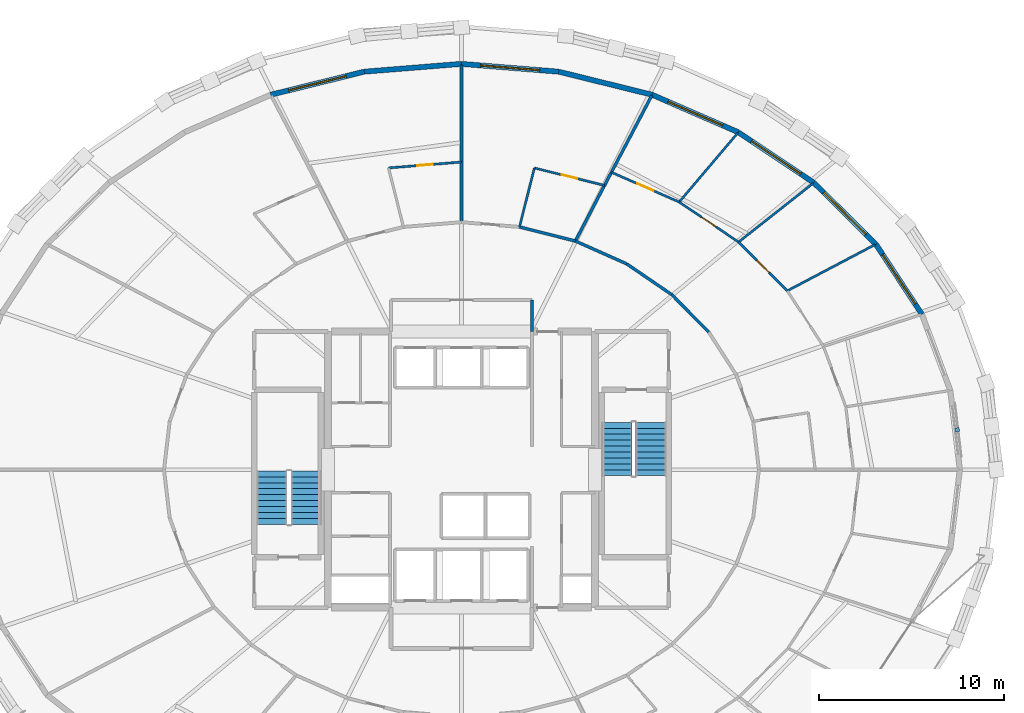
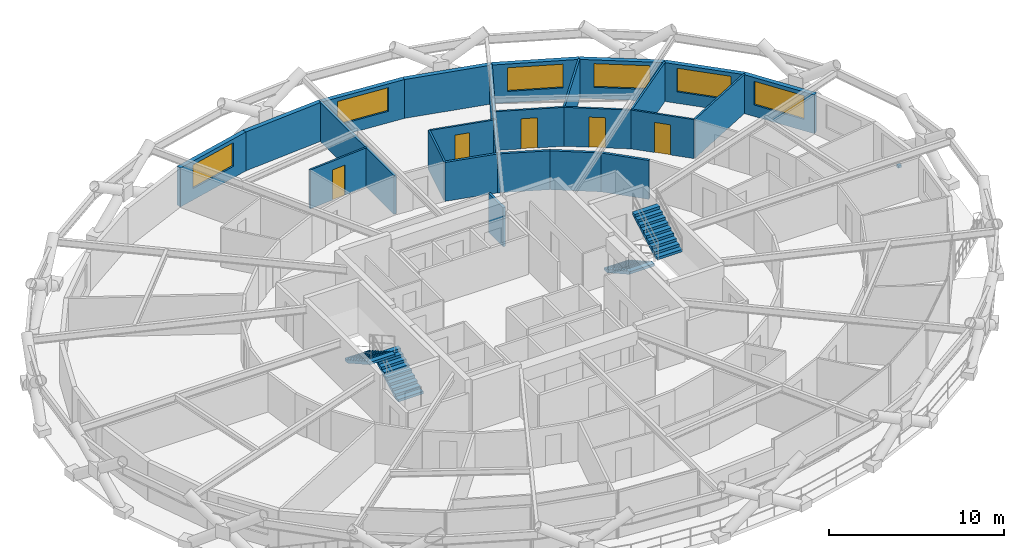
# One storey, part 19 of 21: 24 walls, 6 windows, 5 doors, 4 stair flights, 1 discrete accessory, 11 openings, 2 elements without a shape of their own.
"""IFC4 building model written with IfcOpenShell, lengths in metres."""

from ifc_helpers import new_model, si_unit, direction, frame, frame_2d, origin, origin_2d, place, context, subcontext, project, spatial, polyline, rectangle, outline, extrude, material, layer, layer_set, type_object, element, fill, aggregate, save


model = new_model("IFC4")

# Units and contexts
model_context = context("Model", 3, precision=1e-05, world=origin(), true_north=direction((0.0, 1.0)))
body_context = subcontext(model_context, "Body", "Model", "MODEL_VIEW")
ifc_project = project(units=[si_unit("LENGTHUNIT", "METRE"), si_unit("AREAUNIT", "SQUARE_METRE"), si_unit("VOLUMEUNIT", "CUBIC_METRE"), si_unit("PLANEANGLEUNIT", "RADIAN"), si_unit("MASSUNIT", "GRAM", prefix="KILO")], contexts=[model_context])

# Site, building, storey
site_placement = place(None, origin())
site = spatial("IfcSite", under=ifc_project, at=site_placement, CompositionType="ELEMENT")
building_placement = place(site_placement, origin())
building = spatial("IfcBuilding", under=site, at=building_placement, Name="Veldorina Hangang Commons", CompositionType="ELEMENT")
storey_placement = place(building_placement, frame((0.0, 0.0, 66.39990234375)))
storey = spatial("IfcBuildingStorey", under=building, at=storey_placement, Name="L16", CompositionType="ELEMENT", Elevation=66.39990234375)

# Wall, opening, window
ifc_material_1 = material(Name="Stone Roman Travertine", Category="masonry")
ifc_layer_1 = layer(ifc_material_1, 0.280029296875)
ifc_layer_set_1 = layer_set([ifc_layer_1], Name="Stone Roman Travertine")
wall_type_1 = type_object("IfcWallType", Name="EW-TRAV-280", PredefinedType="STANDARD", material=ifc_layer_set_1)
wall_1_placement = place(storey_placement, frame((56.844482421875, 32.37744140625, 0.0), z_axis=(0.0, 0.0, 1.0), x_axis=(-0.54881308027, 0.83594509564, 0.0)))
wall_1 = element("IfcWall", 1, at=wall_1_placement, inside=storey, type_object=wall_type_1, Name="L16 travertine facade wall 02", PredefinedType="STANDARD", context=body_context, shape_type="SweptSolid", body=[
    extrude(rectangle(XDim=4.527587890625, YDim=0.280029296875, at=frame_2d((2.263671875, 0.0))), origin(), (0.0, 0.0, 1.0), 2.710205078125),
])
opening_1_placement = place(wall_1_placement, frame((0.663818359375, 0.0, 0.800048828125)))
opening_1 = element("IfcOpeningElement", 2, at=opening_1_placement, cuts=wall_1, Name="Opening W-01", PredefinedType="OPENING", context=body_context, shape_type="SweptSolid", body=[
    extrude(rectangle(XDim=3.199951171875, YDim=1.64990234375, at=frame_2d((1.60009765625, 0.824951171875))), frame((0.0, 0.14990234375, 0.0), z_axis=(0.0, -1.0, 0.0), x_axis=(1.0, 0.0, 0.0)), (0.0, 0.0, 1.0), 0.300048828125),
])
ifc_material_2 = material(Name="Glass Low-E Triple IGU", Category="glass")
window_type = type_object("IfcWindowType", Name="WIN-TWR-3200", PartitioningType="SINGLE_PANEL", PredefinedType="WINDOW", material=ifc_material_2)
window_1_placement = place(opening_1_placement, origin())
window_1 = element("IfcWindow", 3, at=window_1_placement, inside=storey, type_object=window_type, Name="L16 facade window 02", OverallHeight=1.64990234375, OverallWidth=3.199951171875, PartitioningType="SINGLE_PANEL", PredefinedType="WINDOW", context=body_context, shape_type="SweptSolid", body=[
    extrude(rectangle(XDim=3.199951171875, YDim=1.64990234375, at=frame_2d((1.60009765625, 0.824951171875))), frame((0.0, 0.030029296875, 0.0), z_axis=(0.0, -1.0, 0.0), x_axis=(1.0, 0.0, 0.0)), (0.0, 0.0, 1.0), 0.06005859375),
])
fill(opening_1, window_1)

wall_2_placement = place(storey_placement, frame((54.359619140625, 36.162353515625, 0.0), z_axis=(0.0, 0.0, 1.0), x_axis=(-0.710003239363, 0.704198409608, 0.0)))
wall_2 = element("IfcWall", 4, at=wall_2_placement, inside=storey, type_object=wall_type_1, Name="L16 travertine facade wall 03", PredefinedType="STANDARD", context=body_context, shape_type="SweptSolid", body=[
    extrude(rectangle(XDim=4.71044921875, YDim=0.280029296875, at=frame_2d((2.355224609375, 0.0))), origin(), (0.0, 0.0, 1.0), 2.710205078125),
])
opening_2_placement = place(wall_2_placement, frame((0.75537109375, 0.0, 0.800048828125)))
opening_2 = element("IfcOpeningElement", 5, at=opening_2_placement, cuts=wall_2, Name="Opening W-01", PredefinedType="OPENING", context=body_context, shape_type="SweptSolid", body=[
    extrude(rectangle(XDim=3.199951171875, YDim=1.64990234375, at=frame_2d((1.60009765625, 0.824951171875))), frame((0.0, 0.14990234375, 0.0), z_axis=(0.0, -1.0, 0.0), x_axis=(1.0, 0.0, 0.0)), (0.0, 0.0, 1.0), 0.300048828125),
])
window_2_placement = place(opening_2_placement, origin())
window_2 = element("IfcWindow", 6, at=window_2_placement, inside=storey, type_object=window_type, Name="L16 facade window 03", OverallHeight=1.64990234375, OverallWidth=3.199951171875, PartitioningType="SINGLE_PANEL", PredefinedType="WINDOW", context=body_context, shape_type="SweptSolid", body=[
    extrude(rectangle(XDim=3.199951171875, YDim=1.64990234375, at=frame_2d((1.60009765625, 0.824951171875))), frame((0.0, 0.030029296875, 0.0), z_axis=(0.0, -1.0, 0.0), x_axis=(1.0, 0.0, 0.0)), (0.0, 0.0, 1.0), 0.06005859375),
])
fill(opening_2, window_2)

wall_3_placement = place(storey_placement, frame((51.01513671875, 39.4794921875, 0.0), z_axis=(0.0, 0.0, 1.0), x_axis=(-0.83148272081, 0.555550614251, 0.0)))
wall_3 = element("IfcWall", 7, at=wall_3_placement, inside=storey, type_object=wall_type_1, Name="L16 travertine facade wall 04", PredefinedType="STANDARD", context=body_context, shape_type="SweptSolid", body=[
    extrude(rectangle(XDim=4.90087890625, YDim=0.280029296875, at=frame_2d((2.450439453125, 0.0))), origin(), (0.0, 0.0, 1.0), 2.710205078125),
])
opening_3_placement = place(wall_3_placement, frame((0.850341796875, 0.0, 0.800048828125)))
opening_3 = element("IfcOpeningElement", 8, at=opening_3_placement, cuts=wall_3, Name="Opening W-01", PredefinedType="OPENING", context=body_context, shape_type="SweptSolid", body=[
    extrude(rectangle(XDim=3.199951171875, YDim=1.64990234375, at=frame_2d((1.60009765625, 0.824951171875))), frame((0.0, 0.14990234375, 0.0), z_axis=(0.0, -1.0, 0.0), x_axis=(1.0, 0.0, 0.0)), (0.0, 0.0, 1.0), 0.300048828125),
])
window_3_placement = place(opening_3_placement, origin())
window_3 = element("IfcWindow", 9, at=window_3_placement, inside=storey, type_object=window_type, Name="L16 facade window 04", OverallHeight=1.64990234375, OverallWidth=3.199951171875, PartitioningType="SINGLE_PANEL", PredefinedType="WINDOW", context=body_context, shape_type="SweptSolid", body=[
    extrude(rectangle(XDim=3.199951171875, YDim=1.64990234375, at=frame_2d((1.60009765625, 0.824951171875))), frame((0.0, 0.030029296875, 0.0), z_axis=(0.0, -1.0, 0.0), x_axis=(1.0, 0.0, 0.0)), (0.0, 0.0, 1.0), 0.06005859375),
])
fill(opening_3, window_3)

wall_4_placement = place(storey_placement, frame((46.940185546875, 42.2021484375, 0.0), z_axis=(0.0, 0.0, 1.0), x_axis=(-0.916956720631, 0.398986682096, 0.0)))
wall_4 = element("IfcWall", 10, at=wall_4_placement, inside=storey, type_object=wall_type_1, Name="L16 travertine facade wall 05", PredefinedType="STANDARD", context=body_context, shape_type="SweptSolid", body=[
    extrude(rectangle(XDim=5.0703125, YDim=0.280029296875, at=frame_2d((2.53515625, 0.0))), origin(), (0.0, 0.0, 1.0), 2.710205078125),
])
opening_4_placement = place(wall_4_placement, frame((0.93505859375, 0.0, 0.800048828125)))
opening_4 = element("IfcOpeningElement", 11, at=opening_4_placement, cuts=wall_4, Name="Opening W-01", PredefinedType="OPENING", context=body_context, shape_type="SweptSolid", body=[
    extrude(rectangle(XDim=3.199951171875, YDim=1.64990234375, at=frame_2d((1.60009765625, 0.824951171875))), frame((0.0, 0.14990234375, 0.0), z_axis=(0.0, -1.0, 0.0), x_axis=(1.0, 0.0, 0.0)), (0.0, 0.0, 1.0), 0.300048828125),
])
window_4_placement = place(opening_4_placement, origin())
window_4 = element("IfcWindow", 12, at=window_4_placement, inside=storey, type_object=window_type, Name="L16 facade window 05", OverallHeight=1.64990234375, OverallWidth=3.199951171875, PartitioningType="SINGLE_PANEL", PredefinedType="WINDOW", context=body_context, shape_type="SweptSolid", body=[
    extrude(rectangle(XDim=3.199951171875, YDim=1.64990234375, at=frame_2d((1.60009765625, 0.824951171875))), frame((0.0, 0.030029296875, 0.0), z_axis=(0.0, -1.0, 0.0), x_axis=(1.0, 0.0, 0.0)), (0.0, 0.0, 1.0), 0.06005859375),
])
fill(opening_4, window_4)

# Wall
wall_5_placement = place(storey_placement, frame((42.291015625, 44.22509765625, 0.0), z_axis=(0.0, 0.0, 1.0), x_axis=(-0.970832238087, 0.239759807915, 0.0)))
element("IfcWall", 13, at=wall_5_placement, inside=storey, type_object=wall_type_1, Name="L16 travertine facade wall 06", PredefinedType="STANDARD", context=body_context, shape_type="SweptSolid", body=[
    extrude(rectangle(XDim=5.1962890625, YDim=0.280029296875, at=frame_2d((2.59814453125, 0.0))), origin(), (0.0, 0.0, 1.0), 2.710205078125),
])

# Wall, opening, window
wall_6_placement = place(storey_placement, frame((37.246337890625, 45.470947265625, 0.0), z_axis=(0.0, 0.0, 1.0), x_axis=(-0.996800955667, 0.079924056336, 0.0)))
wall_6 = element("IfcWall", 14, at=wall_6_placement, inside=storey, type_object=wall_type_1, Name="L16 travertine facade wall 07", PredefinedType="STANDARD", context=body_context, shape_type="SweptSolid", body=[
    extrude(rectangle(XDim=5.26318359375, YDim=0.280029296875, at=frame_2d((2.631591796875, 0.0))), origin(), (0.0, 0.0, 1.0), 2.710205078125),
])
opening_5_placement = place(wall_6_placement, frame((1.031494140625, 0.0, 0.800048828125)))
opening_5 = element("IfcOpeningElement", 15, at=opening_5_placement, cuts=wall_6, Name="Opening W-01", PredefinedType="OPENING", context=body_context, shape_type="SweptSolid", body=[
    extrude(rectangle(XDim=3.199951171875, YDim=1.64990234375, at=frame_2d((1.60009765625, 0.824951171875))), frame((0.0, 0.14990234375, 0.0), z_axis=(0.0, -1.0, 0.0), x_axis=(1.0, 0.0, 0.0)), (0.0, 0.0, 1.0), 0.300048828125),
])
window_5_placement = place(opening_5_placement, origin())
window_5 = element("IfcWindow", 16, at=window_5_placement, inside=storey, type_object=window_type, Name="L16 facade window 07", OverallHeight=1.64990234375, OverallWidth=3.199951171875, PartitioningType="SINGLE_PANEL", PredefinedType="WINDOW", context=body_context, shape_type="SweptSolid", body=[
    extrude(rectangle(XDim=3.199951171875, YDim=1.64990234375, at=frame_2d((1.60009765625, 0.824951171875))), frame((0.0, 0.030029296875, 0.0), z_axis=(0.0, -1.0, 0.0), x_axis=(1.0, 0.0, 0.0)), (0.0, 0.0, 1.0), 0.06005859375),
])
fill(opening_5, window_5)

# Wall
wall_7_placement = place(storey_placement, frame((32.0, 45.8916015625, 0.0), z_axis=(0.0, 0.0, 1.0), x_axis=(-0.996800955667, -0.079924056336, 0.0)))
element("IfcWall", 17, at=wall_7_placement, inside=storey, type_object=wall_type_1, Name="L16 travertine facade wall 08", PredefinedType="STANDARD", context=body_context, shape_type="SweptSolid", body=[
    extrude(rectangle(XDim=5.26318359375, YDim=0.280029296875, at=frame_2d((2.631591796875, 0.0))), origin(), (0.0, 0.0, 1.0), 2.710205078125),
])

# Wall, opening, window
wall_8_placement = place(storey_placement, frame((26.753662109375, 45.470947265625, 0.0), z_axis=(0.0, 0.0, 1.0), x_axis=(-0.970832238087, -0.239759807915, 0.0)))
wall_8 = element("IfcWall", 18, at=wall_8_placement, inside=storey, type_object=wall_type_1, Name="L16 travertine facade wall 09", PredefinedType="STANDARD", context=body_context, shape_type="SweptSolid", body=[
    extrude(rectangle(XDim=5.1962890625, YDim=0.280029296875, at=frame_2d((2.59814453125, 0.0))), origin(), (0.0, 0.0, 1.0), 2.710205078125),
])
opening_6_placement = place(wall_8_placement, frame((0.998046875, 0.0, 0.800048828125)))
opening_6 = element("IfcOpeningElement", 19, at=opening_6_placement, cuts=wall_8, Name="Opening W-01", PredefinedType="OPENING", context=body_context, shape_type="SweptSolid", body=[
    extrude(rectangle(XDim=3.199951171875, YDim=1.64990234375, at=frame_2d((1.60009765625, 0.824951171875))), frame((0.0, 0.14990234375, 0.0), z_axis=(0.0, -1.0, 0.0), x_axis=(1.0, 0.0, 0.0)), (0.0, 0.0, 1.0), 0.300048828125),
])
window_6_placement = place(opening_6_placement, origin())
window_6 = element("IfcWindow", 20, at=window_6_placement, inside=storey, type_object=window_type, Name="L16 facade window 09", OverallHeight=1.64990234375, OverallWidth=3.199951171875, PartitioningType="SINGLE_PANEL", PredefinedType="WINDOW", context=body_context, shape_type="SweptSolid", body=[
    extrude(rectangle(XDim=3.199951171875, YDim=1.64990234375, at=frame_2d((1.60009765625, 0.824951171875))), frame((0.0, 0.030029296875, 0.0), z_axis=(0.0, -1.0, 0.0), x_axis=(1.0, 0.0, 0.0)), (0.0, 0.0, 1.0), 0.06005859375),
])
fill(opening_6, window_6)

# Walls
ifc_material_3 = material(Name="Gypsum Fire-Rated Twin Stud Wall", Category="gypsum")
ifc_layer_2 = layer(ifc_material_3, 0.159912109375)
ifc_layer_set_2 = layer_set([ifc_layer_2], Name="Gypsum Fire-Rated Twin Stud Wall")
wall_type_2 = type_object("IfcWallType", Name="WL-FIRE-160", PredefinedType="SOLIDWALL", material=ifc_layer_set_2)
wall_9_placement = place(storey_placement, frame((35.800048828125, 31.449951171875, 0.0), z_axis=(0.0, 0.0, 1.0), x_axis=(0.0, 1.0, 0.0)))
element("IfcWall", 21, at=wall_9_placement, inside=storey, type_object=wall_type_2, Name="L16 North lobby east wall 033", PredefinedType="SOLIDWALL", context=body_context, shape_type="SweptSolid", body=[
    extrude(rectangle(XDim=1.699951171875, YDim=0.159912109375, at=frame_2d((0.85009765625, 0.0))), origin(), (0.0, 0.0, 1.0), 2.710205078125),
])
wall_10_placement = place(storey_placement, frame((45.34521484375, 31.4169921875, 0.0), z_axis=(0.0, 0.0, 1.0), x_axis=(-0.702366174226, 0.711815816981, 0.0)))
element("IfcWall", 22, at=wall_10_placement, inside=storey, type_object=wall_type_2, Name="L16 Corridor outer wall 03 051", PredefinedType="SOLIDWALL", context=body_context, shape_type="SweptSolid", body=[
    extrude(rectangle(XDim=2.842041015625, YDim=0.159912109375, at=frame_2d((1.4208984375, 0.0))), origin(), (0.0, 0.0, 1.0), 2.710205078125),
])
wall_11_placement = place(storey_placement, frame((43.34912109375, 33.43994140625, 0.0), z_axis=(0.0, 0.0, 1.0), x_axis=(-0.825929039072, 0.563774088104, 0.0)))
element("IfcWall", 23, at=wall_11_placement, inside=storey, type_object=wall_type_2, Name="L16 Corridor outer wall 04 052", PredefinedType="SOLIDWALL", context=body_context, shape_type="SweptSolid", body=[
    extrude(rectangle(XDim=2.94482421875, YDim=0.159912109375, at=frame_2d((1.472412109375, 0.0))), origin(), (0.0, 0.0, 1.0), 2.710205078125),
])
wall_12_placement = place(storey_placement, frame((40.9169921875, 35.10009765625, 0.0), z_axis=(0.0, 0.0, 1.0), x_axis=(-0.913768445178, 0.406235434936, 0.0)))
element("IfcWall", 24, at=wall_12_placement, inside=storey, type_object=wall_type_2, Name="L16 Corridor outer wall 05 053", PredefinedType="SOLIDWALL", context=body_context, shape_type="SweptSolid", body=[
    extrude(rectangle(XDim=3.036865234375, YDim=0.159912109375, at=frame_2d((1.5185546875, 0.0))), origin(), (0.0, 0.0, 1.0), 2.710205078125),
])
wall_13_placement = place(storey_placement, frame((38.14208984375, 36.333740234375, 0.0), z_axis=(0.0, 0.0, 1.0), x_axis=(-0.969608333194, 0.244662380029, 0.0)))
element("IfcWall", 25, at=wall_13_placement, inside=storey, type_object=wall_type_2, Name="L16 Corridor outer wall 06 054", PredefinedType="SOLIDWALL", context=body_context, shape_type="SweptSolid", body=[
    extrude(rectangle(XDim=3.10546875, YDim=0.159912109375, at=frame_2d((1.552734375, 0.0))), origin(), (0.0, 0.0, 1.0), 2.710205078125),
])
wall_14_placement = place(storey_placement, frame((38.14208984375, 36.333740234375, 0.0), z_axis=(0.0, 0.0, 1.0), x_axis=(0.465340061266, 0.885131983029, 0.0)))
element("IfcWall", 26, at=wall_14_placement, inside=storey, type_object=wall_type_2, Name="L16 Unit party wall 06 112", PredefinedType="SOLIDWALL", context=body_context, shape_type="SweptSolid", body=[
    extrude(rectangle(XDim=8.865478515625, YDim=0.159912109375, at=frame_2d((4.4326171875, 0.0))), origin(), (0.0, 0.0, 1.0), 2.710205078125),
])
wall_15_placement = place(storey_placement, frame((32.0, 37.35009765625, 0.0), z_axis=(0.0, 0.0, 1.0), x_axis=(0.0, 1.0, 0.0)))
element("IfcWall", 27, at=wall_15_placement, inside=storey, type_object=wall_type_2, Name="L16 Unit party wall 08 115", PredefinedType="SOLIDWALL", context=body_context, shape_type="SweptSolid", body=[
    extrude(rectangle(XDim=8.491455078125, YDim=0.159912109375, at=frame_2d((4.24560546875, 0.0))), origin(), (0.0, 0.0, 1.0), 2.710205078125),
])

# Wall, opening, door
ifc_material_4 = material(Name="Gypsum Acoustic Stud Partition", Category="gypsum")
ifc_layer_3 = layer(ifc_material_4, 0.1201171875)
ifc_layer_set_3 = layer_set([ifc_layer_3], Name="Gypsum Acoustic Stud Partition")
wall_type_3 = type_object("IfcWallType", Name="WL-PART-120", PredefinedType="PARTITIONING", material=ifc_layer_set_3)
wall_16_placement = place(storey_placement, frame((49.581787109375, 33.647216796875, 0.0), z_axis=(0.0, 0.0, 1.0), x_axis=(-0.706877046575, 0.707336441183, 0.0)))
wall_16 = element("IfcWall", 28, at=wall_16_placement, inside=storey, type_object=wall_type_3, Name="L16 Cluster 3 bed 4 front wall 106", PredefinedType="PARTITIONING", context=body_context, shape_type="SweptSolid", body=[
    extrude(rectangle(XDim=3.719970703125, YDim=0.1201171875, at=frame_2d((1.85986328125, 0.0))), origin(), (0.0, 0.0, 1.0), 2.710205078125),
])
opening_7_placement = place(wall_16_placement, frame((1.385009765625, 0.0, 0.0)))
opening_7 = element("IfcOpeningElement", 29, at=opening_7_placement, cuts=wall_16, Name="Opening D-02", PredefinedType="OPENING", context=body_context, shape_type="SweptSolid", body=[
    extrude(rectangle(XDim=0.949951171875, YDim=2.10009765625, at=frame_2d((0.47509765625, 1.050048828125))), frame((0.0, 0.070068359375, 0.0), z_axis=(0.0, -1.0, 0.0), x_axis=(1.0, 0.0, 0.0)), (0.0, 0.0, 1.0), 0.14013671875),
])
ifc_material_5 = material(Name="Timber Solid Core Acoustic", Category="wood")
door_type_1 = type_object("IfcDoorType", Name="DR-INT-950", OperationType="SINGLE_SWING_LEFT", PredefinedType="DOOR", material=ifc_material_5)
door_1_placement = place(opening_7_placement, origin())
door_1 = element("IfcDoor", 30, at=door_1_placement, inside=storey, type_object=door_type_1, Name="L16 Cluster 3 bed 4 door 035", OperationType="SINGLE_SWING_LEFT", OverallHeight=2.10009765625, OverallWidth=0.949951171875, PredefinedType="DOOR", context=body_context, shape_type="SweptSolid", body=[
    extrude(rectangle(XDim=0.949951171875, YDim=2.10009765625, at=frame_2d((0.47509765625, 1.050048828125))), frame((0.0, 0.02490234375, 0.0), z_axis=(0.0, -1.0, 0.0), x_axis=(1.0, 0.0, 0.0)), (0.0, 0.0, 1.0), 0.050048828125),
])
fill(opening_7, door_1)

# Wall
wall_17_placement = place(storey_placement, frame((49.581787109375, 33.647216796875, 0.0), z_axis=(0.0, 0.0, 1.0), x_axis=(0.884884558716, 0.465810388191, 0.0)))
element("IfcWall", 31, at=wall_17_placement, inside=storey, type_object=wall_type_3, Name="L16 Cluster 3 bed divider 3 107", PredefinedType="PARTITIONING", context=body_context, shape_type="SweptSolid", body=[
    extrude(rectangle(XDim=5.34912109375, YDim=0.1201171875, at=frame_2d((2.674560546875, 0.0))), origin(), (0.0, 0.0, 1.0), 2.710205078125),
])

# Wall, opening, door
wall_18_placement = place(storey_placement, frame((46.9521484375, 36.278564453125, 0.0), z_axis=(0.0, 0.0, 1.0), x_axis=(-0.829269610314, 0.558848739293, 0.0)))
wall_18 = element("IfcWall", 32, at=wall_18_placement, inside=storey, type_object=wall_type_3, Name="L16 Cluster 3 bed 5 front wall 108", PredefinedType="PARTITIONING", context=body_context, shape_type="SweptSolid", body=[
    extrude(rectangle(XDim=3.864013671875, YDim=0.1201171875, at=frame_2d((1.93212890625, 0.0))), origin(), (0.0, 0.0, 1.0), 2.710205078125),
])
opening_8_placement = place(wall_18_placement, frame((1.45703125, 0.0, 0.0)))
opening_8 = element("IfcOpeningElement", 33, at=opening_8_placement, cuts=wall_18, Name="Opening D-02", PredefinedType="OPENING", context=body_context, shape_type="SweptSolid", body=[
    extrude(rectangle(XDim=0.949951171875, YDim=2.10009765625, at=frame_2d((0.47509765625, 1.050048828125))), frame((0.0, 0.070068359375, 0.0), z_axis=(0.0, -1.0, 0.0), x_axis=(1.0, 0.0, 0.0)), (0.0, 0.0, 1.0), 0.14013671875),
])
door_2_placement = place(opening_8_placement, origin())
door_2 = element("IfcDoor", 34, at=door_2_placement, inside=storey, type_object=door_type_1, Name="L16 Cluster 3 bed 5 door 036", OperationType="SINGLE_SWING_RIGHT", OverallHeight=2.10009765625, OverallWidth=0.949951171875, PredefinedType="DOOR", context=body_context, shape_type="SweptSolid", body=[
    extrude(rectangle(XDim=0.949951171875, YDim=2.10009765625, at=frame_2d((0.47509765625, 1.050048828125))), frame((0.0, 0.02490234375, 0.0), z_axis=(0.0, -1.0, 0.0), x_axis=(1.0, 0.0, 0.0)), (0.0, 0.0, 1.0), 0.050048828125),
])
fill(opening_8, door_2)

# Wall
wall_19_placement = place(storey_placement, frame((46.9521484375, 36.278564453125, 0.0), z_axis=(0.0, 0.0, 1.0), x_axis=(0.785492374308, 0.618871335501, 0.0)))
element("IfcWall", 35, at=wall_19_placement, inside=storey, type_object=wall_type_3, Name="L16 Cluster 3 bed divider 4 109", PredefinedType="PARTITIONING", context=body_context, shape_type="SweptSolid", body=[
    extrude(rectangle(XDim=5.12255859375, YDim=0.1201171875, at=frame_2d((2.561279296875, 0.0))), origin(), (0.0, 0.0, 1.0), 2.710205078125),
])

# Wall, opening, door
wall_20_placement = place(storey_placement, frame((43.747802734375, 38.43798828125, 0.0), z_axis=(0.0, 0.0, 1.0), x_axis=(-0.915665439142, 0.401941293674, 0.0)))
wall_20 = element("IfcWall", 36, at=wall_20_placement, inside=storey, type_object=wall_type_3, Name="L16 Cluster 3 bed 6 front wall 110", PredefinedType="PARTITIONING", context=body_context, shape_type="SweptSolid", body=[
    extrude(rectangle(XDim=3.992431640625, YDim=0.1201171875, at=frame_2d((1.99609375, 0.0))), origin(), (0.0, 0.0, 1.0), 2.710205078125),
])
opening_9_placement = place(wall_20_placement, frame((1.521240234375, 0.0, 0.0)))
opening_9 = element("IfcOpeningElement", 37, at=opening_9_placement, cuts=wall_20, Name="Opening D-02", PredefinedType="OPENING", context=body_context, shape_type="SweptSolid", body=[
    extrude(rectangle(XDim=0.949951171875, YDim=2.10009765625, at=frame_2d((0.47509765625, 1.050048828125))), frame((0.0, 0.070068359375, 0.0), z_axis=(0.0, -1.0, 0.0), x_axis=(1.0, 0.0, 0.0)), (0.0, 0.0, 1.0), 0.14013671875),
])
door_3_placement = place(opening_9_placement, origin())
door_3 = element("IfcDoor", 38, at=door_3_placement, inside=storey, type_object=door_type_1, Name="L16 Cluster 3 bed 6 door 037", OperationType="SINGLE_SWING_LEFT", OverallHeight=2.10009765625, OverallWidth=0.949951171875, PredefinedType="DOOR", context=body_context, shape_type="SweptSolid", body=[
    extrude(rectangle(XDim=0.949951171875, YDim=2.10009765625, at=frame_2d((0.47509765625, 1.050048828125))), frame((0.0, 0.02490234375, 0.0), z_axis=(0.0, -1.0, 0.0), x_axis=(1.0, 0.0, 0.0)), (0.0, 0.0, 1.0), 0.050048828125),
])
fill(opening_9, door_3)

# Wall
wall_21_placement = place(storey_placement, frame((43.747802734375, 38.43798828125, 0.0), z_axis=(0.0, 0.0, 1.0), x_axis=(0.646786371391, 0.762671219978, 0.0)))
element("IfcWall", 39, at=wall_21_placement, inside=storey, type_object=wall_type_3, Name="L16 Cluster 3 bed divider 5 111", PredefinedType="PARTITIONING", context=body_context, shape_type="SweptSolid", body=[
    extrude(rectangle(XDim=4.885498046875, YDim=0.1201171875, at=frame_2d((2.44287109375, 0.0))), origin(), (0.0, 0.0, 1.0), 2.710205078125),
])

# Wall, opening, door
wall_22_placement = place(storey_placement, frame((39.718505859375, 39.33251953125, 0.0), z_axis=(0.0, 0.0, 1.0), x_axis=(-0.970238171978, 0.242152616416, 0.0)))
wall_22 = element("IfcWall", 40, at=wall_22_placement, inside=storey, type_object=wall_type_3, Name="L16 Studio 4 bath front wall 113", PredefinedType="PARTITIONING", context=body_context, shape_type="SweptSolid", body=[
    extrude(rectangle(XDim=3.899658203125, YDim=0.1201171875, at=frame_2d((1.94970703125, 0.0))), origin(), (0.0, 0.0, 1.0), 2.710205078125),
])
opening_10_placement = place(wall_22_placement, frame((1.52001953125, 0.0, 0.0)))
opening_10 = element("IfcOpeningElement", 41, at=opening_10_placement, cuts=wall_22, Name="Opening D-01", PredefinedType="OPENING", context=body_context, shape_type="SweptSolid", body=[
    extrude(rectangle(XDim=0.860107421875, YDim=2.10009765625, at=frame_2d((0.43017578125, 1.050048828125))), frame((0.0, 0.070068359375, 0.0), z_axis=(0.0, -1.0, 0.0), x_axis=(1.0, 0.0, 0.0)), (0.0, 0.0, 1.0), 0.14013671875),
])
ifc_material_6 = material(Name="Timber Moisture-Resistant Core", Category="wood")
door_type_2 = type_object("IfcDoorType", Name="DR-WET-860", OperationType="SINGLE_SWING_LEFT", PredefinedType="DOOR", material=ifc_material_6)
door_4_placement = place(opening_10_placement, origin())
door_4 = element("IfcDoor", 42, at=door_4_placement, inside=storey, type_object=door_type_2, Name="L16 Studio 4 bathroom door 038", OperationType="SINGLE_SWING_RIGHT", OverallHeight=2.10009765625, OverallWidth=0.860107421875, PredefinedType="DOOR", context=body_context, shape_type="SweptSolid", body=[
    extrude(rectangle(XDim=0.860107421875, YDim=2.10009765625, at=frame_2d((0.43017578125, 1.050048828125))), frame((0.0, 0.02490234375, 0.0), z_axis=(0.0, -1.0, 0.0), x_axis=(1.0, 0.0, 0.0)), (0.0, 0.0, 1.0), 0.050048828125),
])
fill(opening_10, door_4)

# Wall
wall_23_placement = place(storey_placement, frame((35.131103515625, 37.093505859375, 0.0), z_axis=(0.0, 0.0, 1.0), x_axis=(0.24479200307, 0.969575616047, 0.0)))
element("IfcWall", 43, at=wall_23_placement, inside=storey, type_object=wall_type_3, Name="L16 Studio 4 bath side wall 114", PredefinedType="PARTITIONING", context=body_context, shape_type="SweptSolid", body=[
    extrude(rectangle(XDim=3.283203125, YDim=0.1201171875, at=frame_2d((1.6416015625, 0.0))), origin(), (0.0, 0.0, 1.0), 2.710205078125),
])

# Wall, opening, door
wall_24_placement = place(storey_placement, frame((32.0, 40.595703125, 0.0), z_axis=(0.0, 0.0, 1.0), x_axis=(-0.996732951444, -0.080767713258, 0.0)))
wall_24 = element("IfcWall", 44, at=wall_24_placement, inside=storey, type_object=wall_type_3, Name="L16 Studio 5 bath front wall 116", PredefinedType="PARTITIONING", context=body_context, shape_type="SweptSolid", body=[
    extrude(rectangle(XDim=3.94775390625, YDim=0.1201171875, at=frame_2d((1.973876953125, 0.0))), origin(), (0.0, 0.0, 1.0), 2.710205078125),
])
opening_11_placement = place(wall_24_placement, frame((1.5439453125, 0.0, 0.0)))
opening_11 = element("IfcOpeningElement", 45, at=opening_11_placement, cuts=wall_24, Name="Opening D-01", PredefinedType="OPENING", context=body_context, shape_type="SweptSolid", body=[
    extrude(rectangle(XDim=0.860107421875, YDim=2.10009765625, at=frame_2d((0.43017578125, 1.050048828125))), frame((0.0, 0.070068359375, 0.0), z_axis=(0.0, -1.0, 0.0), x_axis=(1.0, 0.0, 0.0)), (0.0, 0.0, 1.0), 0.14013671875),
])
door_5_placement = place(opening_11_placement, origin())
door_5 = element("IfcDoor", 46, at=door_5_placement, inside=storey, type_object=door_type_2, Name="L16 Studio 5 bathroom door 040", OperationType="SINGLE_SWING_RIGHT", OverallHeight=2.10009765625, OverallWidth=0.860107421875, PredefinedType="DOOR", context=body_context, shape_type="SweptSolid", body=[
    extrude(rectangle(XDim=0.860107421875, YDim=2.10009765625, at=frame_2d((0.43017578125, 1.050048828125))), frame((0.0, 0.02490234375, 0.0), z_axis=(0.0, -1.0, 0.0), x_axis=(1.0, 0.0, 0.0)), (0.0, 0.0, 1.0), 0.050048828125),
])
fill(opening_11, door_5)

# Stair, stair flights
ifc_material_7 = material(Name="Concrete C40/50", Category="concrete")
stair_type = type_object("IfcStairType", Name="STR-DOG-1650-20R", PredefinedType="HALF_TURN_STAIR", material=ifc_material_7)
stair_1_placement = place(storey_placement, origin())
stair_1 = element("IfcStair", 47, at=stair_1_placement, inside=storey, type_object=stair_type, Name="L16 Exit stair ST-1", PredefinedType="HALF_TURN_STAIR")
stair_flight_type = type_object("IfcStairFlightType", Name="SFL-STR-1650-20R", PredefinedType="STRAIGHT", material=ifc_material_7)
stair_flight_1_placement = place(storey_placement, frame((23.625, 21.050048828125, 0.0), z_axis=(0.0, 0.0, 1.0), x_axis=(0.0, 1.0, 0.0)))
stair_flight_1 = element("IfcStairFlight", 48, at=stair_flight_1_placement, type_object=stair_flight_type, Name="ST-1 flight 1", NumberOfRisers=10, NumberOfTreads=9, PredefinedType="STRAIGHT", RiserHeight=0.18, TreadLength=0.32, context=body_context, shape_type="SweptSolid", body=[
    extrude(outline(polyline([(0.0, 0.0), (0.0, 0.179931640625), (0.320068359375, 0.179931640625), (0.320068359375, 0.360107421875), (0.639892578125, 0.360107421875), (0.639892578125, 0.5400390625), (0.9599609375, 0.5400390625), (0.9599609375, 0.719970703125), (1.280029296875, 0.719970703125), (1.280029296875, 0.89990234375), (1.60009765625, 0.89990234375), (1.60009765625, 1.080078125), (1.919921875, 1.080078125), (1.919921875, 1.260009765625), (2.239990234375, 1.260009765625), (2.239990234375, 1.43994140625), (2.56005859375, 1.43994140625), (2.56005859375, 1.6201171875), (2.8798828125, 1.6201171875), (2.8798828125, 1.800048828125), (2.8798828125, 1.447998046875), (0.3056640625, 0.0), (0.0, 0.0)])), frame((0.0, 0.824951171875, 0.0), z_axis=(0.0, -1.0, 0.0), x_axis=(1.0, 0.0, 0.0)), (0.0, 0.0, 1.0), 1.64990234375),
])
stair_flight_2_placement = place(storey_placement, frame((21.77490234375, 23.929931640625, 1.800048828125), z_axis=(0.0, 0.0, 1.0), x_axis=(0.0, -1.0, 0.0)))
stair_flight_2 = element("IfcStairFlight", 49, at=stair_flight_2_placement, type_object=stair_flight_type, Name="ST-1 flight 2", NumberOfRisers=10, NumberOfTreads=9, PredefinedType="STRAIGHT", RiserHeight=0.18, TreadLength=0.32, context=body_context, shape_type="SweptSolid", body=[
    extrude(outline(polyline([(0.0, 0.0), (0.0, 0.179931640625), (0.320068359375, 0.179931640625), (0.320068359375, 0.360107421875), (0.639892578125, 0.360107421875), (0.639892578125, 0.5400390625), (0.9599609375, 0.5400390625), (0.9599609375, 0.719970703125), (1.280029296875, 0.719970703125), (1.280029296875, 0.89990234375), (1.60009765625, 0.89990234375), (1.60009765625, 1.080078125), (1.919921875, 1.080078125), (1.919921875, 1.260009765625), (2.239990234375, 1.260009765625), (2.239990234375, 1.43994140625), (2.56005859375, 1.43994140625), (2.56005859375, 1.6201171875), (2.8798828125, 1.6201171875), (2.8798828125, 1.800048828125), (2.8798828125, 1.447998046875), (0.3056640625, 0.0), (0.0, 0.0)])), frame((0.0, 0.824951171875, 0.0), z_axis=(0.0, -1.0, 0.0), x_axis=(1.0, 0.0, 0.0)), (0.0, 0.0, 1.0), 1.64990234375),
])
aggregate(stair_1, [stair_flight_1, stair_flight_2])

stair_2_placement = place(storey_placement, origin())
stair_2 = element("IfcStair", 50, at=stair_2_placement, inside=storey, type_object=stair_type, Name="L16 Exit stair ST-2", PredefinedType="HALF_TURN_STAIR")
stair_flight_3_placement = place(storey_placement, frame((40.375, 26.550048828125, 0.0), z_axis=(0.0, 0.0, 1.0), x_axis=(0.0, -1.0, 0.0)))
stair_flight_3 = element("IfcStairFlight", 51, at=stair_flight_3_placement, type_object=stair_flight_type, Name="ST-2 flight 1", NumberOfRisers=10, NumberOfTreads=9, PredefinedType="STRAIGHT", RiserHeight=0.18, TreadLength=0.32, context=body_context, shape_type="SweptSolid", body=[
    extrude(outline(polyline([(0.0, 0.0), (0.0, 0.179931640625), (0.320068359375, 0.179931640625), (0.320068359375, 0.360107421875), (0.639892578125, 0.360107421875), (0.639892578125, 0.5400390625), (0.9599609375, 0.5400390625), (0.9599609375, 0.719970703125), (1.280029296875, 0.719970703125), (1.280029296875, 0.89990234375), (1.60009765625, 0.89990234375), (1.60009765625, 1.080078125), (1.919921875, 1.080078125), (1.919921875, 1.260009765625), (2.239990234375, 1.260009765625), (2.239990234375, 1.43994140625), (2.56005859375, 1.43994140625), (2.56005859375, 1.6201171875), (2.8798828125, 1.6201171875), (2.8798828125, 1.800048828125), (2.8798828125, 1.447998046875), (0.3056640625, 0.0), (0.0, 0.0)])), frame((0.0, 0.824951171875, 0.0), z_axis=(0.0, -1.0, 0.0), x_axis=(1.0, 0.0, 0.0)), (0.0, 0.0, 1.0), 1.64990234375),
])
stair_flight_4_placement = place(storey_placement, frame((42.22509765625, 23.669921875, 1.800048828125), z_axis=(0.0, 0.0, 1.0), x_axis=(0.0, 1.0, 0.0)))
stair_flight_4 = element("IfcStairFlight", 52, at=stair_flight_4_placement, type_object=stair_flight_type, Name="ST-2 flight 2", NumberOfRisers=10, NumberOfTreads=9, PredefinedType="STRAIGHT", RiserHeight=0.18, TreadLength=0.32, context=body_context, shape_type="SweptSolid", body=[
    extrude(outline(polyline([(0.0, 0.0), (0.0, 0.179931640625), (0.320068359375, 0.179931640625), (0.320068359375, 0.360107421875), (0.639892578125, 0.360107421875), (0.639892578125, 0.5400390625), (0.9599609375, 0.5400390625), (0.9599609375, 0.719970703125), (1.280029296875, 0.719970703125), (1.280029296875, 0.89990234375), (1.60009765625, 0.89990234375), (1.60009765625, 1.080078125), (1.919921875, 1.080078125), (1.919921875, 1.260009765625), (2.239990234375, 1.260009765625), (2.239990234375, 1.43994140625), (2.56005859375, 1.43994140625), (2.56005859375, 1.6201171875), (2.8798828125, 1.6201171875), (2.8798828125, 1.800048828125), (2.8798828125, 1.447998046875), (0.3056640625, 0.0), (0.0, 0.0)])), frame((0.0, 0.824951171875, 0.0), z_axis=(0.0, -1.0, 0.0), x_axis=(1.0, 0.0, 0.0)), (0.0, 0.0, 1.0), 1.64990234375),
])
aggregate(stair_2, [stair_flight_3, stair_flight_4])

# Discrete accessory
ifc_material_8 = material(Name="Stainless Steel Brushed 316", Category="steel")
discrete_accessory_type = type_object("IfcDiscreteAccessoryType", Name="BRK-SCR-SS", PredefinedType="BRACKET", material=ifc_material_8)
discrete_accessory_placement = place(storey_placement, frame((58.752197265625, 26.14990234375, 0.72021484375), z_axis=(0.0, 0.0, 1.0), x_axis=(-0.120102184993, 0.992761534891, 0.0)))
element("IfcDiscreteAccessory", 53, at=discrete_accessory_placement, inside=storey, type_object=discrete_accessory_type, Name="L16 solar screen support bracket 00", PredefinedType="BRACKET", context=body_context, shape_type="SweptSolid", body=[
    extrude(rectangle(XDim=0.219970703125, YDim=0.219970703125, at=origin_2d()), origin(), (0.0, 0.0, 1.0), 0.159912109375),
])

save(model, "model.ifc")
